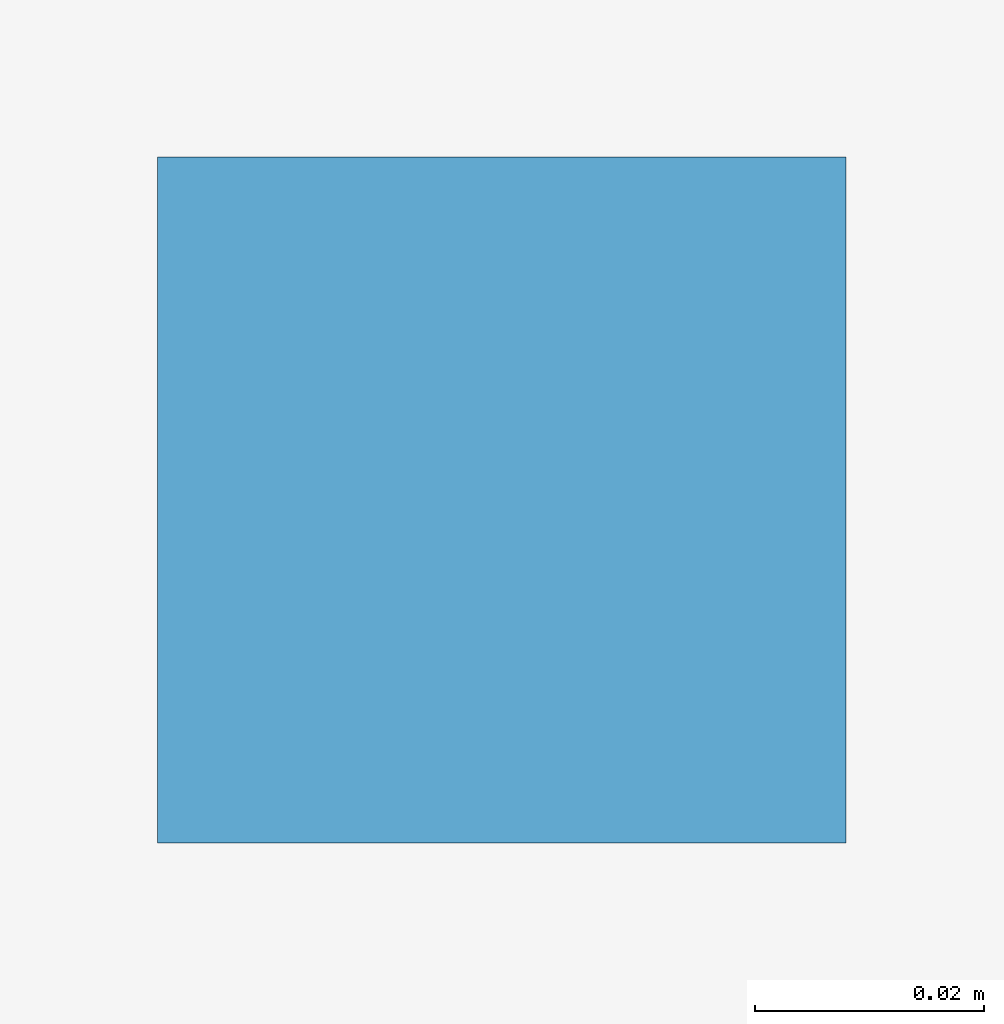
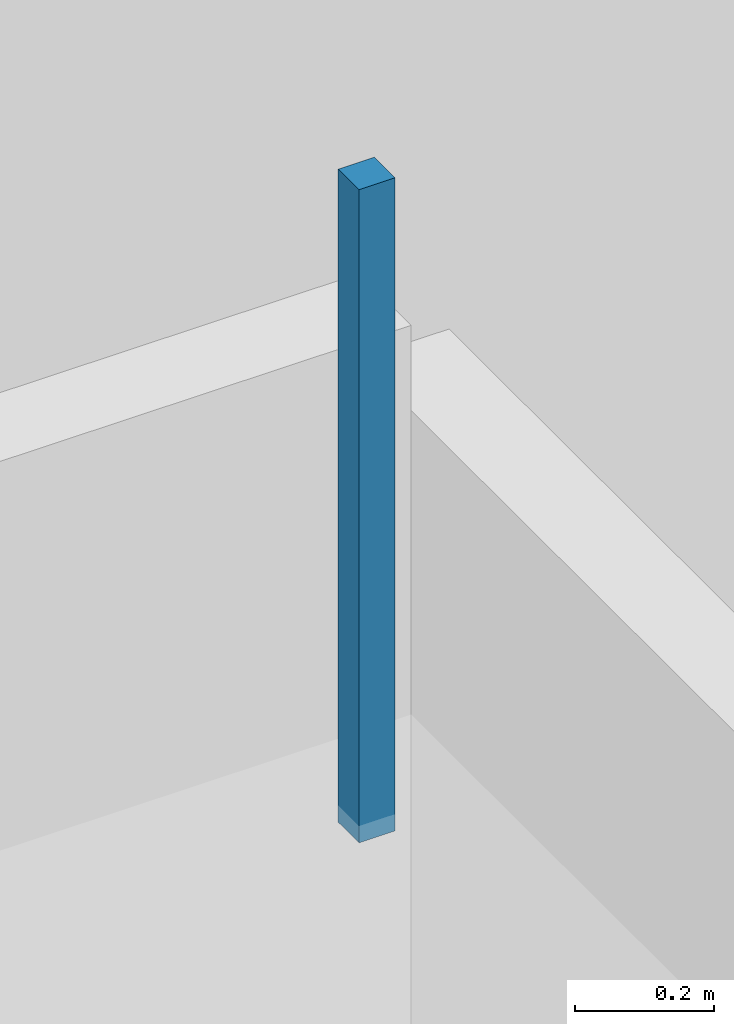
# One storey, part 59 of 93: 1 discrete accessory.
"""IFC4 building model written with IfcOpenShell, lengths in metres."""

import ifcopenshell
import ifcopenshell.guid

model = None  # the IFC model being written
_history = None  # IfcOwnerHistory: only IFC2X3 demands one
_inside = {}  # id of a spatial element -> (the spatial element, [elements in it])
_under = {}  # id of a project, library or spatial element -> (it, [spatial elements below it])
_declared = {}  # id of a project -> (the project, [libraries it declares])
_typed = {}  # id of a type object -> (the type object, [elements of that type])
_made_of = {}  # id of a material, layer set ... -> (it, [elements and type objects made of it])


def new_model(schema):
    """Start an empty IFC model of exactly this schema.

    Asked for "IFC4X3", IfcOpenShell would pick the latest addendum, in which some entities
    have other attributes; the version numbers below select the first issue.
    IFC2X3 requires an IfcOwnerHistory on every rooted entity: one is made here for all.
    """
    global model, _history
    if schema == "IFC4X3":
        model = ifcopenshell.file(schema_version=(4, 3, 0, 0))
    else:
        model = ifcopenshell.file(schema=schema)
    _inside.clear()
    _under.clear()
    _declared.clear()
    _typed.clear()
    _made_of.clear()
    _history = None
    if model.schema == "IFC2X3":
        org = make("IfcOrganization", Name="unknown")
        user = make(
            "IfcPersonAndOrganization",
            ThePerson=make("IfcPerson", FamilyName="unknown"),
            TheOrganization=org,
        )
        app = make(
            "IfcApplication",
            ApplicationDeveloper=org,
            Version="unknown",
            ApplicationFullName="unknown",
            ApplicationIdentifier="unknown",
        )
        _history = make(
            "IfcOwnerHistory",
            OwningUser=user,
            OwningApplication=app,
            ChangeAction="ADDED",
            CreationDate=0,
        )
    return model


def make(cls, **values):
    """One entity of the class cls with the attributes given. An attribute that is None is left unset."""
    return model.create_entity(
        cls, **{name: value for name, value in values.items() if value is not None}
    )


def rooted(cls, **values):
    """An entity with a GlobalId (a new one), such as an element, a storey or a relation."""
    return make(cls, GlobalId=ifcopenshell.guid.new(), OwnerHistory=_history, **values)


def si_unit(unit_type, name, prefix=None):
    """IfcSIUnit, for example si_unit("LENGTHUNIT", "METRE", prefix="MILLI")."""
    return make("IfcSIUnit", UnitType=unit_type, Prefix=prefix, Name=name)


def assignment(units):
    """IfcUnitAssignment: the units of a project."""
    return None if units is None else make("IfcUnitAssignment", Units=units)


def point(xyz):
    """IfcCartesianPoint."""
    return None if xyz is None else make("IfcCartesianPoint", Coordinates=xyz)


def direction(xyz):
    """IfcDirection."""
    return None if xyz is None else make("IfcDirection", DirectionRatios=xyz)


def frame(location, z_axis=None, x_axis=None):
    """IfcAxis2Placement3D, a coordinate frame: its origin and axes. An axis left out is left unset."""
    return make(
        "IfcAxis2Placement3D",
        Location=point(location),
        Axis=direction(z_axis),
        RefDirection=direction(x_axis),
    )


def origin():
    """The frame at (0, 0, 0) with its axes left unset."""
    return frame((0.0, 0.0, 0.0))


def place(relative_to, where):
    """IfcLocalPlacement: puts the frame where relative to a parent placement (None: the world)."""
    return make(
        "IfcLocalPlacement", PlacementRelTo=relative_to, RelativePlacement=where
    )


def context(
    kind, dimensions, precision=None, world=None, true_north=None, identifier=None
):
    """IfcGeometricRepresentationContext, for example the 3D "Model" context."""
    return make(
        "IfcGeometricRepresentationContext",
        ContextIdentifier=identifier,
        ContextType=kind,
        CoordinateSpaceDimension=dimensions,
        Precision=precision,
        WorldCoordinateSystem=world,
        TrueNorth=true_north,
    )


def subcontext(parent, identifier, kind, view, scale=None):
    """IfcGeometricRepresentationSubContext, for example "Body" below "Model"."""
    return make(
        "IfcGeometricRepresentationSubContext",
        ContextIdentifier=identifier,
        ContextType=kind,
        ParentContext=parent,
        TargetScale=scale,
        TargetView=view,
    )


def project(units=None, contexts=None):
    """IfcProject with its units and contexts."""
    return rooted(
        "IfcProject",
        Name="project",
        RepresentationContexts=contexts,
        UnitsInContext=assignment(units),
    )


def spatial(cls, under=None, at=None, **own):
    """A site, building, storey or space (cls), placed at a placement, below another one or the project."""
    s = rooted(cls, ObjectPlacement=at, **own)
    if under is not None:
        _under.setdefault(under.id(), (under, []))[1].append(s)
    return s


def polyline(points):
    """IfcPolyline through the points."""
    return make("IfcPolyline", Points=[point(p) for p in points])


def outline(outer, holes=None, kind="AREA"):
    """IfcArbitraryClosedProfileDef: a profile drawn as a closed curve; with holes, ...WithVoids."""
    if holes is None:
        return make("IfcArbitraryClosedProfileDef", ProfileType=kind, OuterCurve=outer)
    return make(
        "IfcArbitraryProfileDefWithVoids",
        ProfileType=kind,
        OuterCurve=outer,
        InnerCurves=holes,
    )


def extrude(swept, where, along, depth):
    """IfcExtrudedAreaSolid: the profile swept, set in the frame where, extruded along a direction by depth."""
    return make(
        "IfcExtrudedAreaSolid",
        SweptArea=swept,
        Position=where,
        ExtrudedDirection=direction(along),
        Depth=depth,
    )


def shape(context_of_items, identifier, shape_type, items):
    """IfcShapeRepresentation: the items that make up one representation, for example the "Body"."""
    return make(
        "IfcShapeRepresentation",
        ContextOfItems=context_of_items,
        RepresentationIdentifier=identifier,
        RepresentationType=shape_type,
        Items=items,
    )


def material(Name=None, Category=None):
    """IfcMaterial."""
    return make("IfcMaterial", Name=Name, Category=Category)


def made_of(thing, what):
    """Note that an element or type object is made of a material, layer set ...; save() writes the relation."""
    if what is not None:
        _made_of.setdefault(what.id(), (what, []))[1].append(thing)
    return thing


def type_object(cls, material=None, **own):
    """A type object (cls), such as IfcWallType, which elements share."""
    return made_of(rooted(cls, **own), material)


def element(
    cls,
    number,
    at=None,
    inside=None,
    cuts=None,
    type_object=None,
    material=None,
    context=None,
    identifier="Body",
    shape_type=None,
    held_by="IfcProductDefinitionShape",
    body=None,
    shapes=None,
    **own,
):
    """One element of the class cls, such as IfcWall. Its Tag is "e" and its number.

    at: its placement. inside: the storey or other place that contains it. cuts: it is an
    opening in that element (IfcRelVoidsElement). A single representation is given by context,
    identifier, shape_type and body (its items); several are given by shapes. held_by: the class
    of the entity that holds the representations. save() writes the other relations.
    """
    e = rooted(cls, Tag="e%d" % number, ObjectPlacement=at, **own)
    if body is not None:
        shapes = [shape(context, identifier, shape_type, body)]
    if shapes is not None:
        e.Representation = make(held_by, Representations=shapes)
    if inside is not None:
        _inside.setdefault(inside.id(), (inside, []))[1].append(e)
    if cuts is not None:
        rooted(
            "IfcRelVoidsElement", RelatingBuildingElement=cuts, RelatedOpeningElement=e
        )
    if type_object is not None:
        _typed.setdefault(type_object.id(), (type_object, []))[1].append(e)
    return made_of(e, material)


def aggregate(whole, parts):
    """IfcRelAggregates: a whole, such as a stair, and the parts it consists of."""
    return rooted("IfcRelAggregates", RelatingObject=whole, RelatedObjects=parts)


def save(model, path):
    """Write the relations noted so far, then the file.

    IfcRelAggregates (storeys below a building ...), IfcRelContainedInSpatialStructure (elements
    in a storey), IfcRelDefinesByType, IfcRelAssociatesMaterial and IfcRelDeclares: one each for
    every whole, place, type object, material and project.
    """
    for whole, parts in _under.values():
        aggregate(whole, parts)
    for where, things in _inside.values():
        rooted(
            "IfcRelContainedInSpatialStructure",
            RelatedElements=things,
            RelatingStructure=where,
        )
    for kind, things in _typed.values():
        rooted("IfcRelDefinesByType", RelatedObjects=things, RelatingType=kind)
    for what, things in _made_of.values():
        rooted("IfcRelAssociatesMaterial", RelatedObjects=things, RelatingMaterial=what)
    for by, libraries in _declared.values():
        rooted("IfcRelDeclares", RelatingContext=by, RelatedDefinitions=libraries)
    model.write(path)


model = new_model("IFC4")

# Units and contexts
model_context = context("Model", 3, precision=1e-05, world=origin(), true_north=direction((0.0, 1.0)))
body_context = subcontext(model_context, "Body", "Model", "MODEL_VIEW")
ifc_project = project(units=[si_unit("LENGTHUNIT", "METRE"), si_unit("AREAUNIT", "SQUARE_METRE"), si_unit("VOLUMEUNIT", "CUBIC_METRE"), si_unit("PLANEANGLEUNIT", "RADIAN"), si_unit("MASSUNIT", "GRAM", prefix="KILO")], contexts=[model_context])

# Site, building, storey
site_placement = place(None, origin())
site = spatial("IfcSite", under=ifc_project, at=site_placement, CompositionType="ELEMENT")
building_placement = place(site_placement, origin())
building = spatial("IfcBuilding", under=site, at=building_placement, Name="Dunescarp Central Library", CompositionType="ELEMENT")
storey_placement = place(building_placement, frame((0.0, 0.0, 14.10009765625)))
storey = spatial("IfcBuildingStorey", under=building, at=storey_placement, Name="L03", CompositionType="ELEMENT", Elevation=14.10009765625)

# Discrete accessory
ifc_material = material(Name="Stainless steel Grade 316L", Category="steel")
discrete_accessory_type = type_object("IfcDiscreteAccessoryType", Name="ARC-ACC-BRK", PredefinedType="BRACKET", material=ifc_material)
discrete_accessory_placement = place(storey_placement, frame((0.0, 0.0, 3.059814453125)))
element("IfcDiscreteAccessory", 1, at=discrete_accessory_placement, inside=storey, type_object=discrete_accessory_type, Name="L03 ceiling hanger CLG-L03-026-H2", PredefinedType="BRACKET", context=body_context, shape_type="SweptSolid", body=[
    extrude(outline(polyline([(5.919921875, 29.820068359375), (5.97998046875, 29.820068359375), (5.97998046875, 29.8798828125), (5.919921875, 29.8798828125), (5.919921875, 29.820068359375)])), origin(), (0.0, 0.0, 1.0), 1.150146484375),
])

save(model, "model.ifc")
